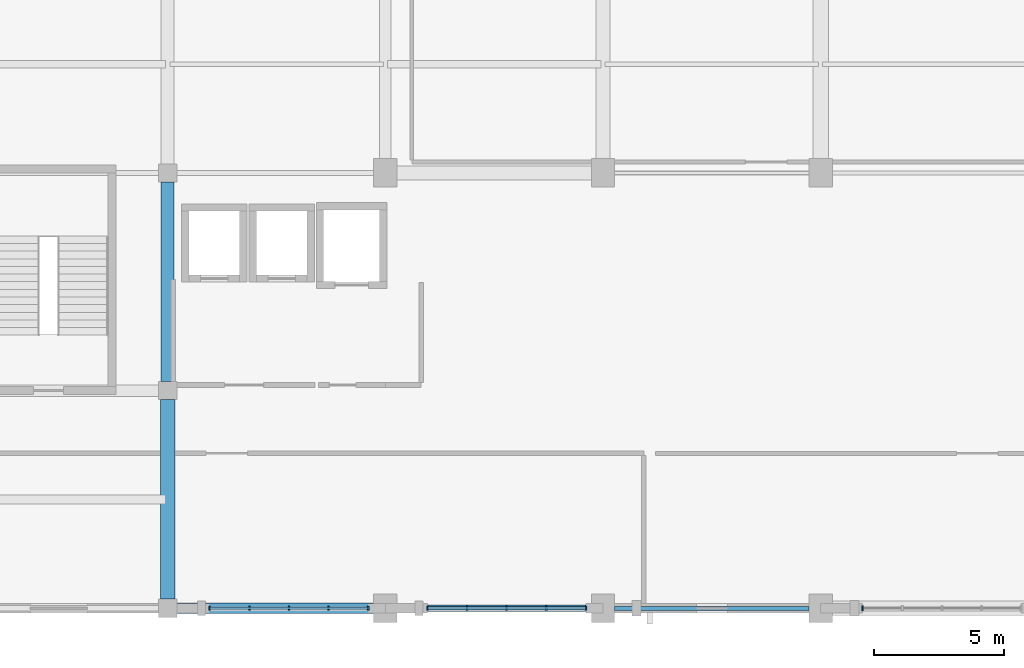
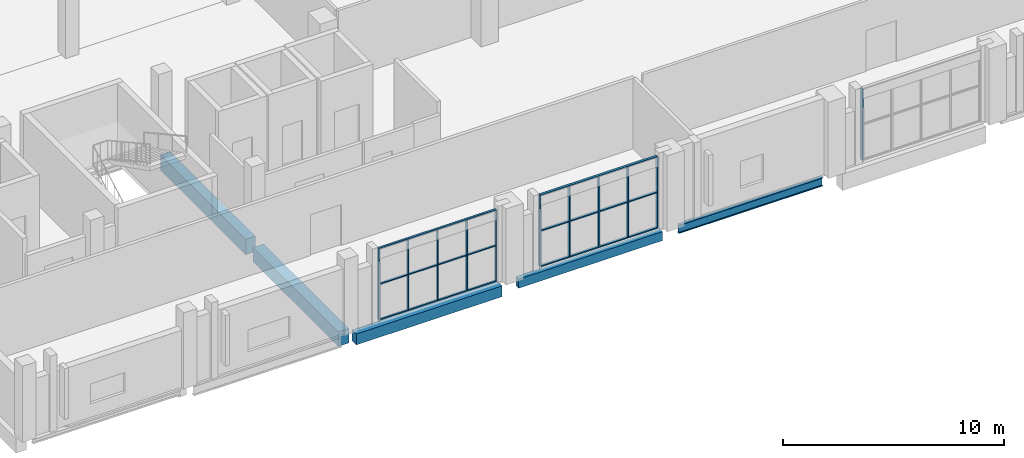
# One storey, part 10 of 64: 17 members, 5 beams, 3 elements without a shape of their own.
"""IFC4 building model written with IfcOpenShell, lengths in metres."""

from ifc_helpers import new_model, si_unit, derived_unit, direction, frame, origin, origin_2d, place, context, subcontext, project, spatial, rectangle, i_section, extrude, material, material_profile, profile_set, type_object, element, aggregate, save


model = new_model("IFC4")

# Units and contexts
model_context = context("Model", 3, precision=1e-05, world=origin(), true_north=direction((0.0, 1.0)))
body_context = subcontext(model_context, "Body", "Model", "MODEL_VIEW")
ifc_project = project(units=[si_unit("LENGTHUNIT", "METRE"), si_unit("AREAUNIT", "SQUARE_METRE"), si_unit("VOLUMEUNIT", "CUBIC_METRE"), si_unit("PLANEANGLEUNIT", "RADIAN"), si_unit("MASSUNIT", "GRAM", prefix="KILO"), derived_unit("THERMALTRANSMITTANCEUNIT", [(si_unit("POWERUNIT", "WATT"), 1), (si_unit("LENGTHUNIT", "METRE"), -2), (si_unit("THERMODYNAMICTEMPERATUREUNIT", "KELVIN"), -1)])], contexts=[model_context])

# Site, building, storey
site_placement = place(None, origin())
site = spatial("IfcSite", under=ifc_project, at=site_placement, CompositionType="ELEMENT")
building_placement = place(site_placement, origin())
building = spatial("IfcBuilding", under=site, at=building_placement, Name="Barrovel Congress Hotel", CompositionType="ELEMENT")
storey_placement = place(building_placement, frame((0.0, 0.0, 14.10009765625)))
storey = spatial("IfcBuildingStorey", under=building, at=storey_placement, Name="L03", CompositionType="ELEMENT", Elevation=14.10009765625)

# Beams
ifc_material_1 = material(Name="Concrete C40", Category="concrete")
ifc_material_profile_1 = material_profile(ifc_material_1, rectangle(XDim=0.25, YDim=0.5, at=origin_2d()), Name="RC250x500")
ifc_profile_set_1 = profile_set([ifc_material_profile_1], Name="Concrete C40")
beam_type_1 = type_object("IfcBeamType", Name="BM-RC250x500", PredefinedType="SPANDREL", material=ifc_profile_set_1)
beam_1_placement = place(storey_placement, frame((42.449951171875, 4.199951171875, -0.489990234375), z_axis=(1.0, 0.0, 0.0), x_axis=(0.0, 1.0, 0.0)))
element("IfcBeam", 1, at=beam_1_placement, inside=storey, type_object=beam_type_1, Name="BMX:L03:4.2:42.0-50.4", PredefinedType="SPANDREL", context=body_context, shape_type="SweptSolid", body=[
    extrude(rectangle(XDim=0.25, YDim=0.5, at=origin_2d()), origin(), (0.0, 0.0, 1.0), 7.5),
])
ifc_material_profile_2 = material_profile(ifc_material_1, rectangle(XDim=0.39990234375, YDim=0.60009765625, at=origin_2d()), Name="RC400x600")
ifc_profile_set_2 = profile_set([ifc_material_profile_2], Name="Concrete C40")
beam_type_2 = type_object("IfcBeamType", Name="BM-RC400x600", PredefinedType="BEAM", material=ifc_profile_set_2)
beam_2_placement = place(storey_placement, frame((33.949951171875, 4.199951171875, -0.5400390625), z_axis=(1.0, 0.0, 0.0), x_axis=(0.0, 1.0, 0.0)))
element("IfcBeam", 2, at=beam_2_placement, inside=storey, type_object=beam_type_2, Name="BMX:L03:4.2:33.6-42.0", PredefinedType="BEAM", context=body_context, shape_type="SweptSolid", body=[
    extrude(rectangle(XDim=0.39990234375, YDim=0.60009765625, at=origin_2d()), origin(), (0.0, 0.0, 1.0), 7.60009765625),
])
ifc_material_profile_3 = material_profile(ifc_material_1, rectangle(XDim=0.5, YDim=0.85009765625, at=origin_2d()), Name="RC500x850")
ifc_profile_set_3 = profile_set([ifc_material_profile_3], Name="Concrete C40")
beam_type_3 = type_object("IfcBeamType", Name="BM-RC500x850", PredefinedType="BEAM", material=ifc_profile_set_3)
beam_3_placement = place(storey_placement, frame((33.60009765625, 12.949951171875, -0.6650390625), z_axis=(0.0, 1.0, 0.0), x_axis=(-1.0, 0.0, 0.0)))
element("IfcBeam", 3, at=beam_3_placement, inside=storey, type_object=beam_type_3, Name="BMY:L03:33.6:12.6-21.0", PredefinedType="BEAM", context=body_context, shape_type="SweptSolid", body=[
    extrude(rectangle(XDim=0.5, YDim=0.85009765625, at=origin_2d()), origin(), (0.0, 0.0, 1.0), 7.699951171875),
])
ifc_material_profile_4 = material_profile(ifc_material_1, rectangle(XDim=0.550048828125, YDim=0.800048828125, at=origin_2d()), Name="RC550x800")
ifc_profile_set_4 = profile_set([ifc_material_profile_4], Name="Concrete C40")
beam_type_4 = type_object("IfcBeamType", Name="BM-RC550x800", PredefinedType="BEAM", material=ifc_profile_set_4)
beam_4_placement = place(storey_placement, frame((33.60009765625, 4.550048828125, -0.64013671875), z_axis=(0.0, 1.0, 0.0), x_axis=(-1.0, 0.0, 0.0)))
element("IfcBeam", 4, at=beam_4_placement, inside=storey, type_object=beam_type_4, Name="BMY:L03:33.6:4.2-12.6", PredefinedType="BEAM", context=body_context, shape_type="SweptSolid", body=[
    extrude(rectangle(XDim=0.550048828125, YDim=0.800048828125, at=origin_2d()), origin(), (0.0, 0.0, 1.0), 7.699951171875),
])

# Curtain wall, members
ifc_material_2 = material(Name="Anodised Aluminium Alloy 6063-T6", Category="aluminium")
curtain_wall_type = type_object("IfcCurtainWallType", Name="CW-ST-7200x3600", PredefinedType="USERDEFINED", material=ifc_material_2)
curtain_wall_1_placement = place(storey_placement, origin())
curtain_wall_1 = element("IfcCurtainWall", 5, at=curtain_wall_1_placement, inside=storey, type_object=curtain_wall_type, Name="CW:L03:S:04", ObjectType="STICK CURTAIN WALL", PredefinedType="USERDEFINED")
ifc_material_profile_5 = material_profile(ifc_material_2, rectangle(XDim=0.06005859375, YDim=0.139892578125, at=origin_2d()), Name="AL-M60x140")
ifc_profile_set_5 = profile_set([ifc_material_profile_5], Name="Anodised Aluminium Alloy 6063-T6")
member_type_1 = type_object("IfcMemberType", Name="CWM-AL-M60x140", PredefinedType="MULLION", material=ifc_profile_set_5)
member_1_placement = place(storey_placement, frame((35.219970703125, 4.199951171875, 0.0), z_axis=(0.0, 0.0, 1.0), x_axis=(1.0, 0.0, 0.0)))
member_1 = element("IfcMember", 6, at=member_1_placement, type_object=member_type_1, Name="CW:L03:S:04:M0", PredefinedType="MULLION", context=body_context, shape_type="SweptSolid", body=[
    extrude(rectangle(XDim=0.06005859375, YDim=0.139892578125, at=origin_2d()), origin(), (0.0, 0.0, 1.0), 3.919921875),
])
member_2_placement = place(storey_placement, frame((36.75, 4.199951171875, 0.0), z_axis=(0.0, 0.0, 1.0), x_axis=(1.0, 0.0, 0.0)))
member_2 = element("IfcMember", 7, at=member_2_placement, type_object=member_type_1, Name="CW:L03:S:04:M1", PredefinedType="MULLION", context=body_context, shape_type="SweptSolid", body=[
    extrude(rectangle(XDim=0.06005859375, YDim=0.139892578125, at=origin_2d()), origin(), (0.0, 0.0, 1.0), 3.919921875),
])
member_3_placement = place(storey_placement, frame((38.280029296875, 4.199951171875, 0.0), z_axis=(0.0, 0.0, 1.0), x_axis=(1.0, 0.0, 0.0)))
member_3 = element("IfcMember", 8, at=member_3_placement, type_object=member_type_1, Name="CW:L03:S:04:M2", PredefinedType="MULLION", context=body_context, shape_type="SweptSolid", body=[
    extrude(rectangle(XDim=0.06005859375, YDim=0.139892578125, at=origin_2d()), origin(), (0.0, 0.0, 1.0), 3.919921875),
])
member_4_placement = place(storey_placement, frame((39.81005859375, 4.199951171875, 0.0), z_axis=(0.0, 0.0, 1.0), x_axis=(1.0, 0.0, 0.0)))
member_4 = element("IfcMember", 9, at=member_4_placement, type_object=member_type_1, Name="CW:L03:S:04:M3", PredefinedType="MULLION", context=body_context, shape_type="SweptSolid", body=[
    extrude(rectangle(XDim=0.06005859375, YDim=0.139892578125, at=origin_2d()), origin(), (0.0, 0.0, 1.0), 3.919921875),
])
member_5_placement = place(storey_placement, frame((41.340087890625, 4.199951171875, 0.0), z_axis=(0.0, 0.0, 1.0), x_axis=(1.0, 0.0, 0.0)))
member_5 = element("IfcMember", 10, at=member_5_placement, type_object=member_type_1, Name="CW:L03:S:04:M4", PredefinedType="MULLION", context=body_context, shape_type="SweptSolid", body=[
    extrude(rectangle(XDim=0.06005859375, YDim=0.139892578125, at=origin_2d()), origin(), (0.0, 0.0, 1.0), 3.919921875),
])

curtain_wall_2_placement = place(storey_placement, origin())
curtain_wall_2 = element("IfcCurtainWall", 11, at=curtain_wall_2_placement, inside=storey, type_object=curtain_wall_type, Name="CW:L03:S:05", ObjectType="STICK CURTAIN WALL", PredefinedType="USERDEFINED")
ifc_material_profile_6 = material_profile(ifc_material_2, rectangle(XDim=0.06005859375, YDim=0.1650390625, at=origin_2d()), Name="AL-M60x165")
ifc_profile_set_6 = profile_set([ifc_material_profile_6], Name="Anodised Aluminium Alloy 6063-T6")
member_type_2 = type_object("IfcMemberType", Name="CWM-AL-M60x165", PredefinedType="MULLION", material=ifc_profile_set_6)
member_6_placement = place(storey_placement, frame((43.6201171875, 4.199951171875, 0.0), z_axis=(0.0, 0.0, 1.0), x_axis=(1.0, 0.0, 0.0)))
member_6 = element("IfcMember", 12, at=member_6_placement, type_object=member_type_2, Name="CW:L03:S:05:M0", PredefinedType="MULLION", context=body_context, shape_type="SweptSolid", body=[
    extrude(rectangle(XDim=0.06005859375, YDim=0.1650390625, at=origin_2d()), origin(), (0.0, 0.0, 1.0), 3.919921875),
])
member_7_placement = place(storey_placement, frame((45.14990234375, 4.199951171875, 0.0), z_axis=(0.0, 0.0, 1.0), x_axis=(1.0, 0.0, 0.0)))
member_7 = element("IfcMember", 13, at=member_7_placement, type_object=member_type_2, Name="CW:L03:S:05:M1", PredefinedType="MULLION", context=body_context, shape_type="SweptSolid", body=[
    extrude(rectangle(XDim=0.06005859375, YDim=0.1650390625, at=origin_2d()), origin(), (0.0, 0.0, 1.0), 3.919921875),
])
member_8_placement = place(storey_placement, frame((46.679931640625, 4.199951171875, 0.0), z_axis=(0.0, 0.0, 1.0), x_axis=(1.0, 0.0, 0.0)))
member_8 = element("IfcMember", 14, at=member_8_placement, type_object=member_type_2, Name="CW:L03:S:05:M2", PredefinedType="MULLION", context=body_context, shape_type="SweptSolid", body=[
    extrude(rectangle(XDim=0.06005859375, YDim=0.1650390625, at=origin_2d()), origin(), (0.0, 0.0, 1.0), 3.919921875),
])
member_9_placement = place(storey_placement, frame((48.2099609375, 4.199951171875, 0.0), z_axis=(0.0, 0.0, 1.0), x_axis=(1.0, 0.0, 0.0)))
member_9 = element("IfcMember", 15, at=member_9_placement, type_object=member_type_2, Name="CW:L03:S:05:M3", PredefinedType="MULLION", context=body_context, shape_type="SweptSolid", body=[
    extrude(rectangle(XDim=0.06005859375, YDim=0.1650390625, at=origin_2d()), origin(), (0.0, 0.0, 1.0), 3.919921875),
])
member_10_placement = place(storey_placement, frame((49.739990234375, 4.199951171875, 0.0), z_axis=(0.0, 0.0, 1.0), x_axis=(1.0, 0.0, 0.0)))
member_10 = element("IfcMember", 16, at=member_10_placement, type_object=member_type_2, Name="CW:L03:S:05:M4", PredefinedType="MULLION", context=body_context, shape_type="SweptSolid", body=[
    extrude(rectangle(XDim=0.06005859375, YDim=0.1650390625, at=origin_2d()), origin(), (0.0, 0.0, 1.0), 3.919921875),
])

# Curtain wall, member
curtain_wall_3_placement = place(storey_placement, origin())
curtain_wall_3 = element("IfcCurtainWall", 17, at=curtain_wall_3_placement, inside=storey, type_object=curtain_wall_type, Name="CW:L03:S:07", ObjectType="STICK CURTAIN WALL", PredefinedType="USERDEFINED")
ifc_material_profile_7 = material_profile(ifc_material_2, rectangle(XDim=0.06494140625, YDim=0.18994140625, at=origin_2d()), Name="AL-M65x190")
ifc_profile_set_7 = profile_set([ifc_material_profile_7], Name="Anodised Aluminium Alloy 6063-T6")
member_type_3 = type_object("IfcMemberType", Name="CWM-AL-M65x190", PredefinedType="MULLION", material=ifc_profile_set_7)
member_11_placement = place(storey_placement, frame((60.419921875, 4.199951171875, 0.0), z_axis=(0.0, 0.0, 1.0), x_axis=(1.0, 0.0, 0.0)))
member_11 = element("IfcMember", 18, at=member_11_placement, type_object=member_type_3, Name="CW:L03:S:07:M0", PredefinedType="MULLION", context=body_context, shape_type="SweptSolid", body=[
    extrude(rectangle(XDim=0.06494140625, YDim=0.18994140625, at=origin_2d()), origin(), (0.0, 0.0, 1.0), 3.919921875),
])
aggregate(curtain_wall_3, [member_11])

# Member
ifc_material_profile_8 = material_profile(ifc_material_2, rectangle(XDim=0.10498046875, YDim=0.06005859375, at=origin_2d()), Name="AL-T60x105")
ifc_profile_set_8 = profile_set([ifc_material_profile_8], Name="Anodised Aluminium Alloy 6063-T6")
member_type_4 = type_object("IfcMemberType", Name="CWT-AL-T60x105", PredefinedType="USERDEFINED", material=ifc_profile_set_8)
member_12_placement = place(storey_placement, frame((35.219970703125, 4.199951171875, 0.0), z_axis=(1.0, 0.0, 0.0), x_axis=(0.0, 1.0, 0.0)))
member_12 = element("IfcMember", 19, at=member_12_placement, type_object=member_type_4, Name="CW:L03:S:04:T0", ObjectType="TRANSOM", PredefinedType="USERDEFINED", context=body_context, shape_type="SweptSolid", body=[
    extrude(rectangle(XDim=0.10498046875, YDim=0.06005859375, at=origin_2d()), origin(), (0.0, 0.0, 1.0), 6.1201171875),
])

member_13_placement = place(storey_placement, frame((35.219970703125, 4.199951171875, 1.9599609375), z_axis=(1.0, 0.0, 0.0), x_axis=(0.0, 1.0, 0.0)))
member_13 = element("IfcMember", 20, at=member_13_placement, type_object=member_type_4, Name="CW:L03:S:04:T1", ObjectType="TRANSOM", PredefinedType="USERDEFINED", context=body_context, shape_type="SweptSolid", body=[
    extrude(rectangle(XDim=0.10498046875, YDim=0.06005859375, at=origin_2d()), origin(), (0.0, 0.0, 1.0), 6.1201171875),
])

member_14_placement = place(storey_placement, frame((35.219970703125, 4.199951171875, 3.919921875), z_axis=(1.0, 0.0, 0.0), x_axis=(0.0, 1.0, 0.0)))
member_14 = element("IfcMember", 21, at=member_14_placement, type_object=member_type_4, Name="CW:L03:S:04:T2", ObjectType="TRANSOM", PredefinedType="USERDEFINED", context=body_context, shape_type="SweptSolid", body=[
    extrude(rectangle(XDim=0.10498046875, YDim=0.06005859375, at=origin_2d()), origin(), (0.0, 0.0, 1.0), 6.1201171875),
])

aggregate(curtain_wall_1, [member_1, member_2, member_3, member_4, member_5, member_12, member_13, member_14])

ifc_material_profile_9 = material_profile(ifc_material_2, rectangle(XDim=0.125, YDim=0.06005859375, at=origin_2d()), Name="AL-T60x125")
ifc_profile_set_9 = profile_set([ifc_material_profile_9], Name="Anodised Aluminium Alloy 6063-T6")
member_type_5 = type_object("IfcMemberType", Name="CWT-AL-T60x125", PredefinedType="USERDEFINED", material=ifc_profile_set_9)
member_15_placement = place(storey_placement, frame((43.6201171875, 4.199951171875, 0.0), z_axis=(1.0, 0.0, 0.0), x_axis=(0.0, 1.0, 0.0)))
member_15 = element("IfcMember", 22, at=member_15_placement, type_object=member_type_5, Name="CW:L03:S:05:T0", ObjectType="TRANSOM", PredefinedType="USERDEFINED", context=body_context, shape_type="SweptSolid", body=[
    extrude(rectangle(XDim=0.125, YDim=0.06005859375, at=origin_2d()), origin(), (0.0, 0.0, 1.0), 6.119873046875),
])

member_16_placement = place(storey_placement, frame((43.6201171875, 4.199951171875, 1.9599609375), z_axis=(1.0, 0.0, 0.0), x_axis=(0.0, 1.0, 0.0)))
member_16 = element("IfcMember", 23, at=member_16_placement, type_object=member_type_5, Name="CW:L03:S:05:T1", ObjectType="TRANSOM", PredefinedType="USERDEFINED", context=body_context, shape_type="SweptSolid", body=[
    extrude(rectangle(XDim=0.125, YDim=0.06005859375, at=origin_2d()), origin(), (0.0, 0.0, 1.0), 6.119873046875),
])

member_17_placement = place(storey_placement, frame((43.6201171875, 4.199951171875, 3.919921875), z_axis=(1.0, 0.0, 0.0), x_axis=(0.0, 1.0, 0.0)))
member_17 = element("IfcMember", 24, at=member_17_placement, type_object=member_type_5, Name="CW:L03:S:05:T2", ObjectType="TRANSOM", PredefinedType="USERDEFINED", context=body_context, shape_type="SweptSolid", body=[
    extrude(rectangle(XDim=0.125, YDim=0.06005859375, at=origin_2d()), origin(), (0.0, 0.0, 1.0), 6.119873046875),
])

aggregate(curtain_wall_2, [member_6, member_7, member_8, member_9, member_10, member_15, member_16, member_17])

# Beam
ifc_material_3 = material(Name="Steel ASTM A992 Grade 50", Category="steel")
ifc_material_profile_10 = material_profile(ifc_material_3, i_section(OverallWidth=0.154052734375, OverallDepth=0.458984375, WebThickness=0.009033203125, FlangeThickness=0.015380859375, FilletRadius=0.012939453125, at=origin_2d()), Name="W460x68")
ifc_profile_set_10 = profile_set([ifc_material_profile_10], Name="Steel ASTM A992 Grade 50")
beam_type_5 = type_object("IfcBeamType", Name="SBM-W460x68", PredefinedType="BEAM", material=ifc_profile_set_10)
beam_5_placement = place(storey_placement, frame((50.85009765625, 4.199951171875, -0.469482421875), z_axis=(1.0, 0.0, 0.0), x_axis=(0.0, 1.0, 0.0)))
element("IfcBeam", 25, at=beam_5_placement, inside=storey, type_object=beam_type_5, Name="BMX:L03:4.2:50.4-58.8", PredefinedType="BEAM", context=body_context, shape_type="SweptSolid", body=[
    extrude(i_section(OverallWidth=0.154052734375, OverallDepth=0.458984375, WebThickness=0.009033203125, FlangeThickness=0.015380859375, FilletRadius=0.012939453125, at=origin_2d()), origin(), (0.0, 0.0, 1.0), 7.5),
])

save(model, "model.ifc")
